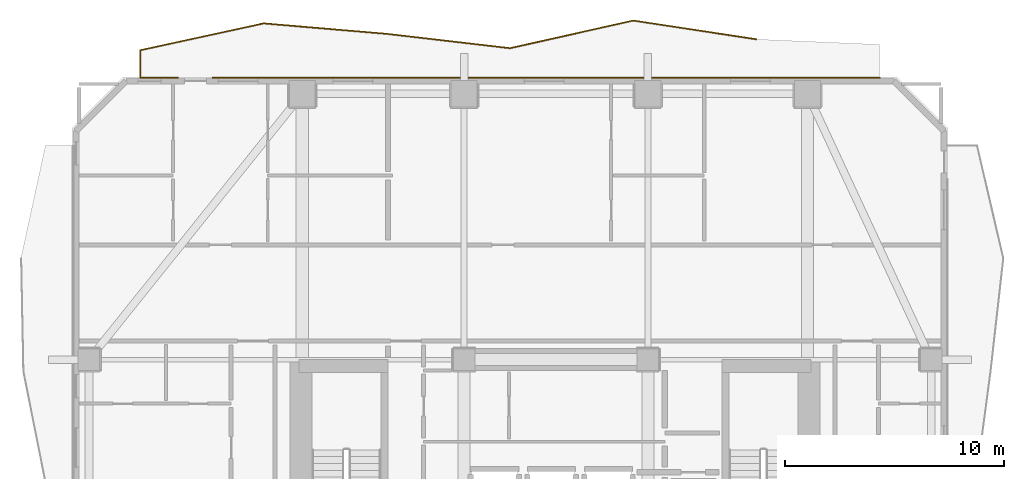
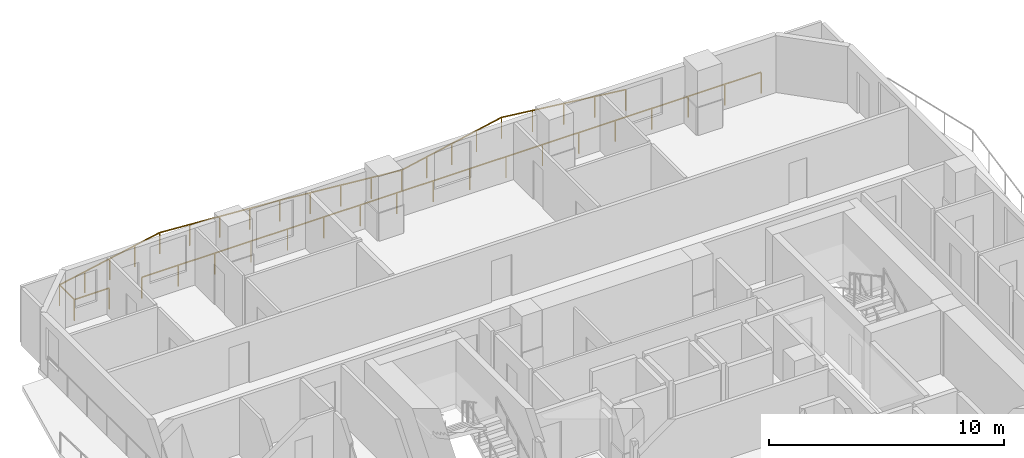
# One storey, part 11 of 11: 2 railings.
"""IFC4 building model written with IfcOpenShell, lengths in metres."""

from ifc_helpers import new_model, si_unit, direction, frame, origin, origin_2d, place, context, subcontext, project, spatial, rectangle, extrude, material, type_object, element, save


model = new_model("IFC4")

# Units and contexts
model_context = context("Model", 3, precision=1e-05, world=origin(), true_north=direction((0.0, 1.0)))
body_context = subcontext(model_context, "Body", "Model", "MODEL_VIEW")
ifc_project = project(units=[si_unit("LENGTHUNIT", "METRE"), si_unit("AREAUNIT", "SQUARE_METRE"), si_unit("VOLUMEUNIT", "CUBIC_METRE"), si_unit("PLANEANGLEUNIT", "RADIAN"), si_unit("MASSUNIT", "GRAM", prefix="KILO")], contexts=[model_context])

# Site, building, storey
site_placement = place(None, origin())
site = spatial("IfcSite", under=ifc_project, at=site_placement, CompositionType="ELEMENT")
building_placement = place(site_placement, origin())
building = spatial("IfcBuilding", under=site, at=building_placement, Name="Solanera Arch Residences", CompositionType="ELEMENT")
storey_placement = place(building_placement, frame((0.0, 0.0, 169.159912109375)))
storey = spatial("IfcBuildingStorey", under=building, at=storey_placement, Name="L49", CompositionType="ELEMENT", Elevation=169.159912109375)

# Railings
ifc_material = material(Name="Steel S355 (ASTM A992 / A572 Grade 50)", Category="steel")
railing_type = type_object("IfcRailingType", Name="Balustrade Railing BL-1100", PredefinedType="BALUSTRADE", material=ifc_material)
railing_1_placement = place(storey_placement, frame((34.1669921875, 54.047119140625, 0.0)))
element("IfcRailing", 1, at=railing_1_placement, inside=storey, type_object=railing_type, Name="L49 N Balcony Balustrade 1", PredefinedType="BALUSTRADE", context=body_context, shape_type="SweptSolid", body=[
    extrude(rectangle(XDim=0.048095703125, YDim=0.048095703125, at=origin_2d()), frame((0.0, 0.0, 1.09619140625), z_axis=(-0.988655238542, 0.150202594199, 0.0), x_axis=(-0.150202594199, -0.988655238542, 0.0)), (0.0, 0.0, 1.0), 5.69873046875),
    extrude(rectangle(XDim=0.048095703125, YDim=0.048095703125, at=origin_2d()), frame((-5.634033203125, 0.85595703125, 1.09619140625), z_axis=(-0.975767319509, -0.218810735975, 0.0), x_axis=(0.218810735975, -0.975767319509, 0.0)), (0.0, 0.0, 1.0), 5.77294921875),
    extrude(rectangle(XDim=0.048095703125, YDim=0.048095703125, at=origin_2d()), frame((-11.26708984375, -0.4072265625, 1.09619140625), z_axis=(-0.993286573547, 0.115679655995, 0.0), x_axis=(-0.115679655995, -0.993286573547, 0.0)), (0.0, 0.0, 1.0), 5.6708984375),
    extrude(rectangle(XDim=0.048095703125, YDim=0.048095703125, at=origin_2d()), frame((-16.89990234375, 0.248779296875, 1.09619140625), z_axis=(-0.996419863825, 0.084542622237, 0.0), x_axis=(-0.084542622237, -0.996419863825, 0.0)), (0.0, 0.0, 1.0), 5.654296875),
    extrude(rectangle(XDim=0.048095703125, YDim=0.048095703125, at=origin_2d()), frame((-22.533935546875, 0.726806640625, 1.09619140625), z_axis=(-0.977051986696, -0.213000974866, 0.0), x_axis=(0.213000974866, -0.977051986696, 0.0)), (0.0, 0.0, 1.0), 5.765380859375),
    extrude(rectangle(XDim=0.048095703125, YDim=0.048095703125, at=origin_2d()), frame((-28.1669921875, -0.501220703125, 1.09619140625), z_axis=(0.0, -1.0, 0.0), x_axis=(1.0, 0.0, 0.0)), (0.0, 0.0, 1.0), 1.265869140625),
    extrude(rectangle(XDim=0.048095703125, YDim=0.048095703125, at=origin_2d()), frame((-28.1669921875, -1.76708984375, 1.09619140625), z_axis=(1.0, 0.0, 0.0), x_axis=(0.0, 1.0, 0.0)), (0.0, 0.0, 1.0), 1.712890625),
    extrude(rectangle(XDim=0.0419921875, YDim=0.0419921875, at=origin_2d()), origin(), (0.0, 0.0, 1.0), 1.072021484375),
    extrude(rectangle(XDim=0.0419921875, YDim=0.0419921875, at=origin_2d()), frame((-1.408447265625, 0.2138671875, 0.0)), (0.0, 0.0, 1.0), 1.072021484375),
    extrude(rectangle(XDim=0.0419921875, YDim=0.0419921875, at=origin_2d()), frame((-2.81689453125, 0.427978515625, 0.0)), (0.0, 0.0, 1.0), 1.072021484375),
    extrude(rectangle(XDim=0.0419921875, YDim=0.0419921875, at=origin_2d()), frame((-4.2255859375, 0.64208984375, 0.0)), (0.0, 0.0, 1.0), 1.072021484375),
    extrude(rectangle(XDim=0.0419921875, YDim=0.0419921875, at=origin_2d()), frame((-5.634033203125, 0.85595703125, 0.0)), (0.0, 0.0, 1.0), 1.072021484375),
    extrude(rectangle(XDim=0.0419921875, YDim=0.0419921875, at=origin_2d()), frame((-7.042236328125, 0.5400390625, 0.0)), (0.0, 0.0, 1.0), 1.072021484375),
    extrude(rectangle(XDim=0.0419921875, YDim=0.0419921875, at=origin_2d()), frame((-8.45068359375, 0.224365234375, 0.0)), (0.0, 0.0, 1.0), 1.072021484375),
    extrude(rectangle(XDim=0.0419921875, YDim=0.0419921875, at=origin_2d()), frame((-9.85888671875, -0.09130859375, 0.0)), (0.0, 0.0, 1.0), 1.072021484375),
    extrude(rectangle(XDim=0.0419921875, YDim=0.0419921875, at=origin_2d()), frame((-11.26708984375, -0.4072265625, 0.0)), (0.0, 0.0, 1.0), 1.072021484375),
    extrude(rectangle(XDim=0.0419921875, YDim=0.0419921875, at=origin_2d()), frame((-12.67529296875, -0.2431640625, 0.0)), (0.0, 0.0, 1.0), 1.072021484375),
    extrude(rectangle(XDim=0.0419921875, YDim=0.0419921875, at=origin_2d()), frame((-14.08349609375, -0.0791015625, 0.0)), (0.0, 0.0, 1.0), 1.072021484375),
    extrude(rectangle(XDim=0.0419921875, YDim=0.0419921875, at=origin_2d()), frame((-15.49169921875, 0.084716796875, 0.0)), (0.0, 0.0, 1.0), 1.072021484375),
    extrude(rectangle(XDim=0.0419921875, YDim=0.0419921875, at=origin_2d()), frame((-16.89990234375, 0.248779296875, 0.0)), (0.0, 0.0, 1.0), 1.072021484375),
    extrude(rectangle(XDim=0.0419921875, YDim=0.0419921875, at=origin_2d()), frame((-18.308349609375, 0.3681640625, 0.0)), (0.0, 0.0, 1.0), 1.072021484375),
    extrude(rectangle(XDim=0.0419921875, YDim=0.0419921875, at=origin_2d()), frame((-19.716796875, 0.48779296875, 0.0)), (0.0, 0.0, 1.0), 1.072021484375),
    extrude(rectangle(XDim=0.0419921875, YDim=0.0419921875, at=origin_2d()), frame((-21.12548828125, 0.607421875, 0.0)), (0.0, 0.0, 1.0), 1.072021484375),
    extrude(rectangle(XDim=0.0419921875, YDim=0.0419921875, at=origin_2d()), frame((-22.533935546875, 0.726806640625, 0.0)), (0.0, 0.0, 1.0), 1.072021484375),
    extrude(rectangle(XDim=0.0419921875, YDim=0.0419921875, at=origin_2d()), frame((-23.942138671875, 0.419921875, 0.0)), (0.0, 0.0, 1.0), 1.072021484375),
    extrude(rectangle(XDim=0.0419921875, YDim=0.0419921875, at=origin_2d()), frame((-25.3505859375, 0.11279296875, 0.0)), (0.0, 0.0, 1.0), 1.072021484375),
    extrude(rectangle(XDim=0.0419921875, YDim=0.0419921875, at=origin_2d()), frame((-26.7587890625, -0.1943359375, 0.0)), (0.0, 0.0, 1.0), 1.072021484375),
    extrude(rectangle(XDim=0.0419921875, YDim=0.0419921875, at=origin_2d()), frame((-28.1669921875, -0.501220703125, 0.0)), (0.0, 0.0, 1.0), 1.072021484375),
    extrude(rectangle(XDim=0.0419921875, YDim=0.0419921875, at=origin_2d()), frame((-28.1669921875, -1.76708984375, 0.0)), (0.0, 0.0, 1.0), 1.072021484375),
    extrude(rectangle(XDim=0.0419921875, YDim=0.0419921875, at=origin_2d()), frame((-26.4541015625, -1.76708984375, 0.0)), (0.0, 0.0, 1.0), 1.072021484375),
])
railing_2_placement = place(storey_placement, frame((9.31298828125, 52.280029296875, 0.0)))
element("IfcRailing", 2, at=railing_2_placement, inside=storey, type_object=railing_type, Name="L49 N Balcony Balustrade 2", PredefinedType="BALUSTRADE", context=body_context, shape_type="SweptSolid", body=[
    extrude(rectangle(XDim=0.048095703125, YDim=0.048095703125, at=origin_2d()), frame((0.0, 0.0, 1.09619140625), z_axis=(1.0, 0.0, 0.0), x_axis=(0.0, 1.0, 0.0)), (0.0, 0.0, 1.0), 30.487060546875),
    extrude(rectangle(XDim=0.0419921875, YDim=0.0419921875, at=origin_2d()), origin(), (0.0, 0.0, 1.0), 1.072021484375),
    extrude(rectangle(XDim=0.0419921875, YDim=0.0419921875, at=origin_2d()), frame((1.79345703125, 0.0, 0.0)), (0.0, 0.0, 1.0), 1.072021484375),
    extrude(rectangle(XDim=0.0419921875, YDim=0.0419921875, at=origin_2d()), frame((3.586669921875, 0.0, 0.0)), (0.0, 0.0, 1.0), 1.072021484375),
    extrude(rectangle(XDim=0.0419921875, YDim=0.0419921875, at=origin_2d()), frame((5.380126953125, 0.0, 0.0)), (0.0, 0.0, 1.0), 1.072021484375),
    extrude(rectangle(XDim=0.0419921875, YDim=0.0419921875, at=origin_2d()), frame((7.17333984375, 0.0, 0.0)), (0.0, 0.0, 1.0), 1.072021484375),
    extrude(rectangle(XDim=0.0419921875, YDim=0.0419921875, at=origin_2d()), frame((8.966796875, 0.0, 0.0)), (0.0, 0.0, 1.0), 1.072021484375),
    extrude(rectangle(XDim=0.0419921875, YDim=0.0419921875, at=origin_2d()), frame((10.76025390625, 0.0, 0.0)), (0.0, 0.0, 1.0), 1.072021484375),
    extrude(rectangle(XDim=0.0419921875, YDim=0.0419921875, at=origin_2d()), frame((12.553466796875, 0.0, 0.0)), (0.0, 0.0, 1.0), 1.072021484375),
    extrude(rectangle(XDim=0.0419921875, YDim=0.0419921875, at=origin_2d()), frame((14.346923828125, 0.0, 0.0)), (0.0, 0.0, 1.0), 1.072021484375),
    extrude(rectangle(XDim=0.0419921875, YDim=0.0419921875, at=origin_2d()), frame((16.14013671875, 0.0, 0.0)), (0.0, 0.0, 1.0), 1.072021484375),
    extrude(rectangle(XDim=0.0419921875, YDim=0.0419921875, at=origin_2d()), frame((17.93359375, 0.0, 0.0)), (0.0, 0.0, 1.0), 1.072021484375),
    extrude(rectangle(XDim=0.0419921875, YDim=0.0419921875, at=origin_2d()), frame((19.726806640625, 0.0, 0.0)), (0.0, 0.0, 1.0), 1.072021484375),
    extrude(rectangle(XDim=0.0419921875, YDim=0.0419921875, at=origin_2d()), frame((21.520263671875, 0.0, 0.0)), (0.0, 0.0, 1.0), 1.072021484375),
    extrude(rectangle(XDim=0.0419921875, YDim=0.0419921875, at=origin_2d()), frame((23.313720703125, 0.0, 0.0)), (0.0, 0.0, 1.0), 1.072021484375),
    extrude(rectangle(XDim=0.0419921875, YDim=0.0419921875, at=origin_2d()), frame((25.10693359375, 0.0, 0.0)), (0.0, 0.0, 1.0), 1.072021484375),
    extrude(rectangle(XDim=0.0419921875, YDim=0.0419921875, at=origin_2d()), frame((26.900390625, 0.0, 0.0)), (0.0, 0.0, 1.0), 1.072021484375),
    extrude(rectangle(XDim=0.0419921875, YDim=0.0419921875, at=origin_2d()), frame((28.693603515625, 0.0, 0.0)), (0.0, 0.0, 1.0), 1.072021484375),
    extrude(rectangle(XDim=0.0419921875, YDim=0.0419921875, at=origin_2d()), frame((30.487060546875, 0.0, 0.0)), (0.0, 0.0, 1.0), 1.072021484375),
])

save(model, "model.ifc")
